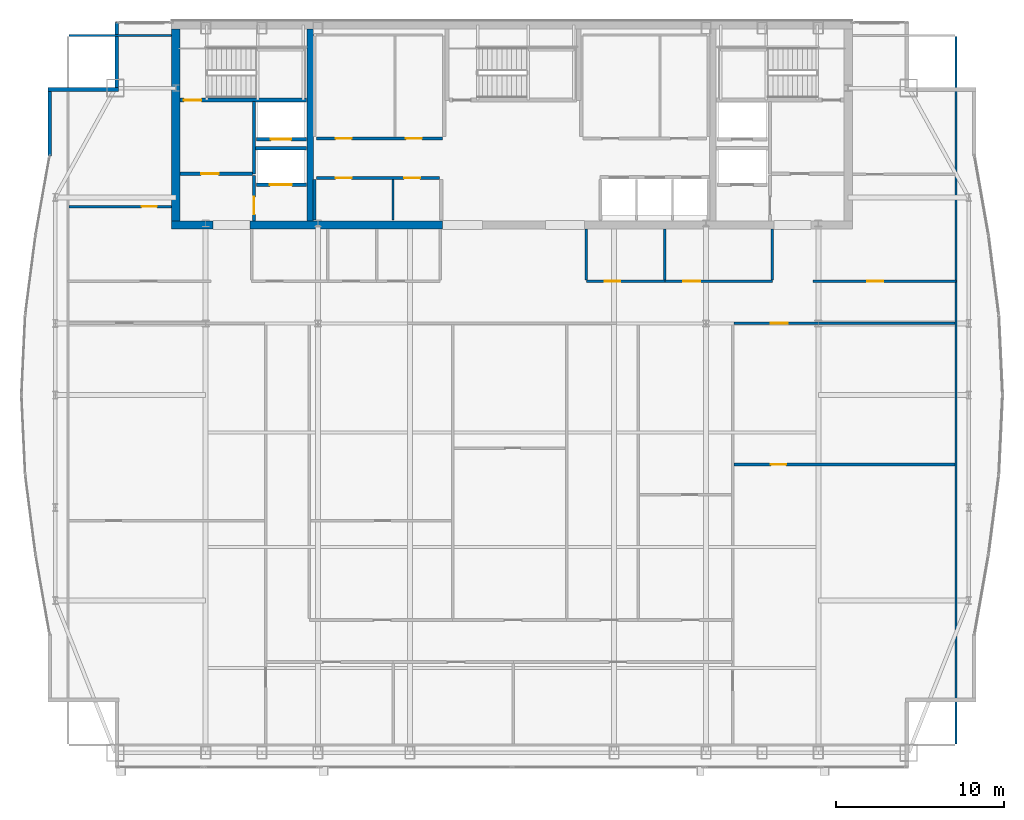
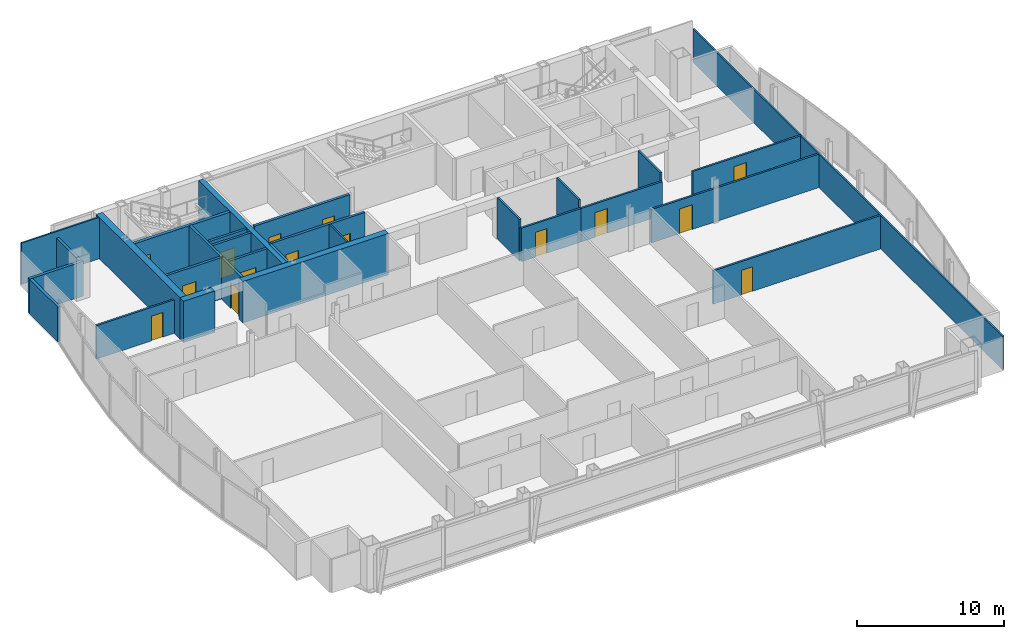
# One storey, part 26 of 30: 29 walls, 15 doors, 15 openings.
"""IFC4 building model written with IfcOpenShell, lengths in metres."""

from ifc_helpers import new_model, si_unit, direction, frame, frame_2d, origin, place, context, subcontext, project, spatial, rectangle, extrude, material, layer, layer_set, type_object, element, fill, save


model = new_model("IFC4")

# Units and contexts
model_context = context("Model", 3, precision=1e-05, world=origin(), true_north=direction((0.0, 1.0)))
body_context = subcontext(model_context, "Body", "Model", "MODEL_VIEW")
ifc_project = project(units=[si_unit("LENGTHUNIT", "METRE"), si_unit("AREAUNIT", "SQUARE_METRE"), si_unit("VOLUMEUNIT", "CUBIC_METRE"), si_unit("PLANEANGLEUNIT", "RADIAN"), si_unit("MASSUNIT", "GRAM", prefix="KILO")], contexts=[model_context])

# Site, building, storey
site_placement = place(None, origin())
site = spatial("IfcSite", under=ifc_project, at=site_placement, CompositionType="ELEMENT")
building_placement = place(site_placement, origin())
building = spatial("IfcBuilding", under=site, at=building_placement, Name="Khoronbel Lancet Exchange", CompositionType="ELEMENT")
storey_placement = place(building_placement, frame((0.0, 0.0, 277.0)))
storey = spatial("IfcBuildingStorey", under=building, at=storey_placement, Name="L71", CompositionType="ELEMENT", Elevation=277.0)

# Walls
ifc_material_1 = material(Name="Concrete C60/75", Category="concrete")
ifc_layer_1 = layer(ifc_material_1, 0.5, Name="Concrete C60/75")
ifc_layer_set_1 = layer_set([ifc_layer_1], Name="Concrete C60/75")
wall_type_1 = type_object("IfcWallType", Name="WL-CW4", PredefinedType="SHEAR", material=ifc_layer_set_1)
wall_1_placement = place(storey_placement, frame((16.449951171875, 41.800048828125, 0.0), z_axis=(0.0, 0.0, 1.0), x_axis=(0.0, 1.0, 0.0)))
element("IfcWall", 1, at=wall_1_placement, inside=storey, type_object=wall_type_1, Name="Level L71 rear core west shear wall", PredefinedType="SHEAR", context=body_context, shape_type="SweptSolid", body=[
    extrude(rectangle(XDim=11.39990234375, YDim=0.5, at=frame_2d((5.699951171875, 0.0))), origin(), (0.0, 0.0, 1.0), 3.43994140625),
])
wall_2_placement = place(storey_placement, frame((18.64990234375, 41.550048828125, 0.0), z_axis=(0.0, 0.0, 1.0), x_axis=(-1.0, 0.0, 0.0)))
element("IfcWall", 2, at=wall_2_placement, inside=storey, type_object=wall_type_1, Name="Level L71 rear core south shear wall pier P1", PredefinedType="SHEAR", context=body_context, shape_type="SweptSolid", body=[
    extrude(rectangle(XDim=2.449951171875, YDim=0.5, at=frame_2d((1.22509765625, 0.0))), origin(), (0.0, 0.0, 1.0), 3.43994140625),
])
wall_3_placement = place(storey_placement, frame((32.300048828125, 41.550048828125, 0.0), z_axis=(0.0, 0.0, 1.0), x_axis=(-1.0, 0.0, 0.0)))
element("IfcWall", 3, at=wall_3_placement, inside=storey, type_object=wall_type_1, Name="Level L71 rear core south shear wall pier P2", PredefinedType="SHEAR", context=body_context, shape_type="SweptSolid", body=[
    extrude(rectangle(XDim=11.449951171875, YDim=0.5, at=frame_2d((5.72509765625, 0.0))), origin(), (0.0, 0.0, 1.0), 3.43994140625),
])
ifc_material_2 = material(Name="Precast concrete C40/50", Category="concrete")
ifc_layer_2 = layer(ifc_material_2, 0.25, Name="Precast concrete C40/50")
ifc_layer_set_2 = layer_set([ifc_layer_2], Name="Precast concrete C40/50")
wall_type_2 = type_object("IfcWallType", Name="WL-EXT250", PredefinedType="SOLIDWALL", material=ifc_layer_set_2)
wall_4_placement = place(storey_placement, frame((8.93994140625, 45.672119140625, 0.0), z_axis=(0.0, 0.0, 1.0), x_axis=(0.0, 1.0, 0.0)))
element("IfcWall", 4, at=wall_4_placement, inside=storey, type_object=wall_type_2, Name="Level L71 notched-corner limestone pier 10", PredefinedType="SOLIDWALL", context=body_context, shape_type="SweptSolid", body=[
    extrude(rectangle(XDim=3.827880859375, YDim=0.219970703125, at=frame_2d((1.9140625, 0.0))), origin(), (0.0, 0.0, 1.0), 2.8798828125),
])
wall_5_placement = place(storey_placement, frame((8.830078125, 49.610107421875, 0.0), z_axis=(0.0, 0.0, 1.0), x_axis=(1.0, 0.0, 0.0)))
element("IfcWall", 5, at=wall_5_placement, inside=storey, type_object=wall_type_2, Name="Level L71 notched-corner limestone pier 11", PredefinedType="SOLIDWALL", context=body_context, shape_type="SweptSolid", body=[
    extrude(rectangle(XDim=4.219970703125, YDim=0.219970703125, at=frame_2d((2.10986328125, 0.0))), origin(), (0.0, 0.0, 1.0), 2.8798828125),
])
wall_6_placement = place(storey_placement, frame((12.93994140625, 49.719970703125, 0.0), z_axis=(0.0, 0.0, 1.0), x_axis=(0.0, 1.0, 0.0)))
element("IfcWall", 6, at=wall_6_placement, inside=storey, type_object=wall_type_2, Name="Level L71 notched-corner limestone pier 12", PredefinedType="SOLIDWALL", context=body_context, shape_type="SweptSolid", body=[
    extrude(rectangle(XDim=3.909912109375, YDim=0.219970703125, at=frame_2d((1.955078125, 0.0))), origin(), (0.0, 0.0, 1.0), 2.8798828125),
])
ifc_material_3 = material(Name="Acoustic Metal-Stud & Mineral-Wool Gypsum Partition 120 mm", Category="gypsum")
ifc_layer_3 = layer(ifc_material_3, 0.1201171875, Name="Acoustic Metal-Stud & Mineral-Wool Gypsum Partition 120 mm")
ifc_layer_set_3 = layer_set([ifc_layer_3], Name="Acoustic Metal-Stud & Mineral-Wool Gypsum Partition 120 mm")
wall_type_3 = type_object("IfcWallType", Name="WL-PRT120", PredefinedType="PARTITIONING", material=ifc_layer_set_3)
for number, where, z_axis, x_axis, name in (
    (7, (40.8798828125, 38.280029296875, 0.0), (0.0, 0.0, 1.0), (0.0, 1.0, 0.0), "Level L71 interior partition PW-NP-0"),
    (8, (45.550048828125, 38.280029296875, 0.0), (0.0, 0.0, 1.0), (0.0, 1.0, 0.0), "Level L71 interior partition PW-NP-M"),
    (9, (51.949951171875, 38.280029296875, 0.0), (0.0, 0.0, 1.0), (0.0, 1.0, 0.0), "Level L71 interior partition PW-NP-1"),
):
    element("IfcWall", number, at=place(storey_placement, frame(where, z_axis=z_axis, x_axis=x_axis)), inside=storey, type_object=wall_type_3, Name=name, PredefinedType="PARTITIONING", context=body_context, shape_type="SweptSolid", body=[
        extrude(rectangle(XDim=3.02001953125, YDim=0.14990234375, at=frame_2d((1.510009765625, 0.0))), origin(), (0.0, 0.0, 1.0), 3.43994140625),
    ])

# Wall, opening, door
wall_7_placement = place(storey_placement, frame((10.094970703125, 42.64990234375, 0.0), z_axis=(0.0, 0.0, 1.0), x_axis=(1.0, 0.0, 0.0)))
wall_7 = element("IfcWall", 10, at=wall_7_placement, inside=storey, type_object=wall_type_3, Name="Level L71 interior partition PW-NW-H", PredefinedType="PARTITIONING", context=body_context, shape_type="SweptSolid", body=[
    extrude(rectangle(XDim=6.10498046875, YDim=0.14990234375, at=frame_2d((3.052490234375, 0.0))), origin(), (0.0, 0.0, 1.0), 2.780029296875),
])
opening_1_placement = place(wall_7_placement, frame((4.320068359375, 0.0, 0.0)))
opening_1 = element("IfcOpeningElement", 11, at=opening_1_placement, cuts=wall_7, Name="Opening D5", PredefinedType="OPENING", context=body_context, shape_type="SweptSolid", body=[
    extrude(rectangle(XDim=0.89990234375, YDim=2.050048828125, at=frame_2d((0.449951171875, 1.02490234375))), frame((0.0, 0.0849609375, 0.0), z_axis=(0.0, -1.0, 0.0), x_axis=(1.0, 0.0, 0.0)), (0.0, 0.0, 1.0), 0.169921875),
])
ifc_material_4 = material(Name="Acoustic Timber Pantry & Support Door", Category="wood")
door_type_1 = type_object("IfcDoorType", Name="DR-D5", OperationType="NOTDEFINED", PredefinedType="DOOR", material=ifc_material_4)
door_1_placement = place(opening_1_placement, origin())
door_1 = element("IfcDoor", 12, at=door_1_placement, inside=storey, type_object=door_type_1, Name="NW north room door L71-1", OperationType="SINGLE_SWING_LEFT", OverallHeight=2.050048828125, OverallWidth=0.89990234375, PredefinedType="DOOR", context=body_context, shape_type="SweptSolid", body=[
    extrude(rectangle(XDim=0.89990234375, YDim=2.050048828125, at=frame_2d((0.449951171875, 1.02490234375))), frame((0.0, 0.02490234375, 0.0), z_axis=(0.0, -1.0, 0.0), x_axis=(1.0, 0.0, 0.0)), (0.0, 0.0, 1.0), 0.050048828125),
])
fill(opening_1, door_1)

wall_8_placement = place(storey_placement, frame((49.659912109375, 27.300048828125, 0.0), z_axis=(0.0, 0.0, 1.0), x_axis=(1.0, 0.0, 0.0)))
wall_8 = element("IfcWall", 13, at=wall_8_placement, inside=storey, type_object=wall_type_3, Name="Level L71 interior partition PW-Z4-EH", PredefinedType="PARTITIONING", context=body_context, shape_type="SweptSolid", body=[
    extrude(rectangle(XDim=13.14501953125, YDim=0.14990234375, at=frame_2d((6.572509765625, 0.0))), origin(), (0.0, 0.0, 1.0), 2.780029296875),
])
opening_2_placement = place(wall_8_placement, frame((2.199951171875, 0.0, 0.0)))
opening_2 = element("IfcOpeningElement", 14, at=opening_2_placement, cuts=wall_8, Name="Opening D5", PredefinedType="OPENING", context=body_context, shape_type="SweptSolid", body=[
    extrude(rectangle(XDim=0.89990234375, YDim=2.050048828125, at=frame_2d((0.449951171875, 1.02490234375))), frame((0.0, 0.0849609375, 0.0), z_axis=(0.0, -1.0, 0.0), x_axis=(1.0, 0.0, 0.0)), (0.0, 0.0, 1.0), 0.169921875),
])
door_2_placement = place(opening_2_placement, origin())
door_2 = element("IfcDoor", 15, at=door_2_placement, inside=storey, type_object=door_type_1, Name="East lens inner door L71-1", OperationType="SINGLE_SWING_RIGHT", OverallHeight=2.050048828125, OverallWidth=0.89990234375, PredefinedType="DOOR", context=body_context, shape_type="SweptSolid", body=[
    extrude(rectangle(XDim=0.89990234375, YDim=2.050048828125, at=frame_2d((0.449951171875, 1.02490234375))), frame((0.0, 0.02490234375, 0.0), z_axis=(0.0, -1.0, 0.0), x_axis=(1.0, 0.0, 0.0)), (0.0, 0.0, 1.0), 0.050048828125),
])
fill(opening_2, door_2)

# Walls
wall_9_placement = place(storey_placement, frame((62.8701171875, 10.6650390625, 0.0), z_axis=(0.0, 0.0, 1.0), x_axis=(0.0, 1.0, 0.0)))
element("IfcWall", 16, at=wall_9_placement, inside=storey, type_object=wall_type_3, Name="Level L71 interior partition PW-LIN-E", PredefinedType="PARTITIONING", context=body_context, shape_type="SweptSolid", body=[
    extrude(rectangle(XDim=42.10986328125, YDim=0.1201171875, at=frame_2d((21.054931640625, 0.0))), origin(), (0.0, 0.0, 1.0), 2.780029296875),
])
wall_10_placement = place(storey_placement, frame((10.094970703125, 52.840087890625, 0.0), z_axis=(0.0, 0.0, 1.0), x_axis=(1.0, 0.0, 0.0)))
element("IfcWall", 17, at=wall_10_placement, inside=storey, type_object=wall_type_3, Name="Level L71 interior partition PW-LIN-NW", PredefinedType="PARTITIONING", context=body_context, shape_type="SweptSolid", body=[
    extrude(rectangle(XDim=6.10498046875, YDim=0.1201171875, at=frame_2d((3.052490234375, 0.0))), origin(), (0.0, 0.0, 1.0), 3.43994140625),
])
ifc_material_5 = material(Name="Fire-Rated Metal-Stud & Mineral-Wool Gypsum Partition 120 mm", Category="gypsum")
ifc_layer_4 = layer(ifc_material_5, 0.1201171875, Name="Fire-Rated Metal-Stud & Mineral-Wool Gypsum Partition 120 mm")
ifc_layer_set_4 = layer_set([ifc_layer_4], Name="Fire-Rated Metal-Stud & Mineral-Wool Gypsum Partition 120 mm")
wall_type_4 = type_object("IfcWallType", Name="WL-PRT120F", PredefinedType="PARTITIONING", material=ifc_layer_set_4)
wall_11_placement = place(storey_placement, frame((29.381103515625, 41.85009765625, 0.0), z_axis=(0.0, 0.0, 1.0), x_axis=(0.0, 1.0, 0.0)))
element("IfcWall", 18, at=wall_11_placement, inside=storey, type_object=wall_type_4, Name="Level L71 interior partition CW-PM-RS2", PredefinedType="PARTITIONING", context=body_context, shape_type="SweptSolid", body=[
    extrude(rectangle(XDim=2.39501953125, YDim=0.1201171875, at=frame_2d((1.197509765625, 0.0))), origin(), (0.0, 0.0, 1.0), 3.43994140625),
])

# Wall, opening, door
ifc_material_6 = material(Name="Fire-Rated Twin-Stud Acoustic Gypsum Partition 150 mm", Category="gypsum")
ifc_layer_5 = layer(ifc_material_6, 0.14990234375, Name="Fire-Rated Twin-Stud Acoustic Gypsum Partition 150 mm")
ifc_layer_set_5 = layer_set([ifc_layer_5], Name="Fire-Rated Twin-Stud Acoustic Gypsum Partition 150 mm")
wall_type_5 = type_object("IfcWallType", Name="WL-PRT150C", PredefinedType="PARTITIONING", material=ifc_layer_set_5)
wall_12_placement = place(storey_placement, frame((40.8798828125, 38.199951171875, 0.0), z_axis=(0.0, 0.0, 1.0), x_axis=(1.0, 0.0, 0.0)))
wall_12 = element("IfcWall", 19, at=wall_12_placement, inside=storey, type_object=wall_type_5, Name="Level L71 interior partition PW-NP-S1", PredefinedType="PARTITIONING", context=body_context, shape_type="SweptSolid", body=[
    extrude(rectangle(XDim=4.670166015625, YDim=0.14990234375, at=frame_2d((2.3349609375, 0.0))), origin(), (0.0, 0.0, 1.0), 2.780029296875),
])
opening_3_placement = place(wall_12_placement, frame((1.10009765625, 0.0, 0.0)))
opening_3 = element("IfcOpeningElement", 20, at=opening_3_placement, cuts=wall_12, Name="Opening D5", PredefinedType="OPENING", context=body_context, shape_type="SweptSolid", body=[
    extrude(rectangle(XDim=0.89990234375, YDim=2.050048828125, at=frame_2d((0.449951171875, 1.02490234375))), frame((0.0, 0.0849609375, 0.0), z_axis=(0.0, -1.0, 0.0), x_axis=(1.0, 0.0, 0.0)), (0.0, 0.0, 1.0), 0.169921875),
])
door_3_placement = place(opening_3_placement, origin())
door_3 = element("IfcDoor", 21, at=door_3_placement, inside=storey, type_object=door_type_1, Name="Floor refreshment pantry door L71-1", OperationType="SINGLE_SWING_LEFT", OverallHeight=2.050048828125, OverallWidth=0.89990234375, PredefinedType="DOOR", context=body_context, shape_type="SweptSolid", body=[
    extrude(rectangle(XDim=0.89990234375, YDim=2.050048828125, at=frame_2d((0.449951171875, 1.02490234375))), frame((0.0, 0.02490234375, 0.0), z_axis=(0.0, -1.0, 0.0), x_axis=(1.0, 0.0, 0.0)), (0.0, 0.0, 1.0), 0.050048828125),
])
fill(opening_3, door_3)

wall_13_placement = place(storey_placement, frame((45.550048828125, 38.199951171875, 0.0), z_axis=(0.0, 0.0, 1.0), x_axis=(1.0, 0.0, 0.0)))
wall_13 = element("IfcWall", 22, at=wall_13_placement, inside=storey, type_object=wall_type_5, Name="Level L71 interior partition PW-NP-S2", PredefinedType="PARTITIONING", context=body_context, shape_type="SweptSolid", body=[
    extrude(rectangle(XDim=6.39990234375, YDim=0.14990234375, at=frame_2d((3.199951171875, 0.0))), origin(), (0.0, 0.0, 1.0), 2.780029296875),
])
opening_4_placement = place(wall_13_placement, frame((1.10009765625, 0.0, 0.0)))
opening_4 = element("IfcOpeningElement", 23, at=opening_4_placement, cuts=wall_13, Name="Opening D2", PredefinedType="OPENING", context=body_context, shape_type="SweptSolid", body=[
    extrude(rectangle(XDim=1.0, YDim=2.050048828125, at=frame_2d((0.5, 1.02490234375))), frame((0.0, 0.0849609375, 0.0), z_axis=(0.0, -1.0, 0.0), x_axis=(1.0, 0.0, 0.0)), (0.0, 0.0, 1.0), 0.169921875),
])
ifc_material_7 = material(Name="Acoustic Veneered Timber & Bronze Frame Door", Category="wood")
door_type_2 = type_object("IfcDoorType", Name="DR-D2", OperationType="NOTDEFINED", PredefinedType="DOOR", material=ifc_material_7)
door_4_placement = place(opening_4_placement, origin())
door_4 = element("IfcDoor", 24, at=door_4_placement, inside=storey, type_object=door_type_2, Name="Floor store door L71-1", OperationType="SINGLE_SWING_RIGHT", OverallHeight=2.050048828125, OverallWidth=1.0, PredefinedType="DOOR", context=body_context, shape_type="SweptSolid", body=[
    extrude(rectangle(XDim=1.0, YDim=2.050048828125, at=frame_2d((0.5, 1.02490234375))), frame((0.0, 0.02490234375, 0.0), z_axis=(0.0, -1.0, 0.0), x_axis=(1.0, 0.0, 0.0)), (0.0, 0.0, 1.0), 0.050048828125),
])
fill(opening_4, door_4)

wall_14_placement = place(storey_placement, frame((54.35009765625, 38.199951171875, 0.0), z_axis=(0.0, 0.0, 1.0), x_axis=(1.0, 0.0, 0.0)))
wall_14 = element("IfcWall", 25, at=wall_14_placement, inside=storey, type_object=wall_type_5, Name="Level L71 interior partition PW-NE-S", PredefinedType="PARTITIONING", context=body_context, shape_type="SweptSolid", body=[
    extrude(rectangle(XDim=8.52001953125, YDim=0.14990234375, at=frame_2d((4.260009765625, 0.0))), origin(), (0.0, 0.0, 1.0), 2.780029296875),
])
opening_5_placement = place(wall_14_placement, frame((3.25, 0.0, 0.0)))
opening_5 = element("IfcOpeningElement", 26, at=opening_5_placement, cuts=wall_14, Name="Opening D1", PredefinedType="OPENING", context=body_context, shape_type="SweptSolid", body=[
    extrude(rectangle(XDim=0.949951171875, YDim=2.050048828125, at=frame_2d((0.47509765625, 1.02490234375))), frame((0.0, 0.0849609375, 0.0), z_axis=(0.0, -1.0, 0.0), x_axis=(1.0, 0.0, 0.0)), (0.0, 0.0, 1.0), 0.169921875),
])
door_type_3 = type_object("IfcDoorType", Name="DR-D1", OperationType="NOTDEFINED", PredefinedType="DOOR", material=ifc_material_7)
door_5_placement = place(opening_5_placement, origin())
door_5 = element("IfcDoor", 27, at=door_5_placement, inside=storey, type_object=door_type_3, Name="NE corner room door L71-1", OperationType="SINGLE_SWING_RIGHT", OverallHeight=2.050048828125, OverallWidth=0.949951171875, PredefinedType="DOOR", context=body_context, shape_type="SweptSolid", body=[
    extrude(rectangle(XDim=0.949951171875, YDim=2.050048828125, at=frame_2d((0.47509765625, 1.02490234375))), frame((0.0, 0.02490234375, 0.0), z_axis=(0.0, -1.0, 0.0), x_axis=(1.0, 0.0, 0.0)), (0.0, 0.0, 1.0), 0.050048828125),
])
fill(opening_5, door_5)

wall_15_placement = place(storey_placement, frame((49.659912109375, 35.699951171875, 0.0), z_axis=(0.0, 0.0, 1.0), x_axis=(1.0, 0.0, 0.0)))
wall_15 = element("IfcWall", 28, at=wall_15_placement, inside=storey, type_object=wall_type_5, Name="Level L71 interior partition PW-Z4-EN2", PredefinedType="PARTITIONING", context=body_context, shape_type="SweptSolid", body=[
    extrude(rectangle(XDim=13.14501953125, YDim=0.14990234375, at=frame_2d((6.572509765625, 0.0))), origin(), (0.0, 0.0, 1.0), 2.780029296875),
])
opening_6_placement = place(wall_15_placement, frame((2.199951171875, 0.0, 0.0)))
opening_6 = element("IfcOpeningElement", 29, at=opening_6_placement, cuts=wall_15, Name="Opening D2", PredefinedType="OPENING", context=body_context, shape_type="SweptSolid", body=[
    extrude(rectangle(XDim=1.0, YDim=2.050048828125, at=frame_2d((0.5, 1.02490234375))), frame((0.0, 0.0849609375, 0.0), z_axis=(0.0, -1.0, 0.0), x_axis=(1.0, 0.0, 0.0)), (0.0, 0.0, 1.0), 0.169921875),
])
door_6_placement = place(opening_6_placement, origin())
door_6 = element("IfcDoor", 30, at=door_6_placement, inside=storey, type_object=door_type_2, Name="East lens north door L71-1", OperationType="SINGLE_SWING_LEFT", OverallHeight=2.050048828125, OverallWidth=1.0, PredefinedType="DOOR", context=body_context, shape_type="SweptSolid", body=[
    extrude(rectangle(XDim=1.0, YDim=2.050048828125, at=frame_2d((0.5, 1.02490234375))), frame((0.0, 0.02490234375, 0.0), z_axis=(0.0, -1.0, 0.0), x_axis=(1.0, 0.0, 0.0)), (0.0, 0.0, 1.0), 0.050048828125),
])
fill(opening_6, door_6)

ifc_material_8 = material(Name="Autoclaved Aerated Concrete Blockwork 200 mm", Category="masonry")
ifc_layer_6 = layer(ifc_material_8, 0.199951171875, Name="Autoclaved Aerated Concrete Blockwork 200 mm")
ifc_layer_set_6 = layer_set([ifc_layer_6], Name="Autoclaved Aerated Concrete Blockwork 200 mm")
wall_type_6 = type_object("IfcWallType", Name="WL-PRT200", PredefinedType="PARTITIONING", material=ifc_layer_set_6)
wall_16_placement = place(storey_placement, frame((24.2099609375, 43.949951171875, 0.0), z_axis=(0.0, 0.0, 1.0), x_axis=(-1.0, 0.0, 0.0)))
wall_16 = element("IfcWall", 31, at=wall_16_placement, inside=storey, type_object=wall_type_6, Name="Level L71 elevator hoistway landing front wall SVLW", PredefinedType="PARTITIONING", context=body_context, shape_type="SweptSolid", body=[
    extrude(rectangle(XDim=2.969970703125, YDim=0.199951171875, at=frame_2d((1.48486328125, 0.0))), origin(), (0.0, 0.0, 1.0), 3.43994140625),
])
opening_7_placement = place(wall_16_placement, frame((0.860107421875, 0.0, 0.0)))
opening_7 = element("IfcOpeningElement", 32, at=opening_7_placement, cuts=wall_16, Name="Opening LD-SVL1", PredefinedType="OPENING", context=body_context, shape_type="SweptSolid", body=[
    extrude(rectangle(XDim=1.300048828125, YDim=2.179931640625, at=frame_2d((0.64990234375, 1.08984375))), frame((0.0, 0.10986328125, 0.0), z_axis=(0.0, -1.0, 0.0), x_axis=(1.0, 0.0, 0.0)), (0.0, 0.0, 1.0), 0.219970703125),
])
ifc_material_9 = material(Name="Heavy-Duty Bi-Parting Goods Lift Landing Door", Category="steel")
door_type_4 = type_object("IfcDoorType", Name="DR-LD-SVL", OperationType="NOTDEFINED", PredefinedType="DOOR", material=ifc_material_9)
door_7_placement = place(opening_7_placement, origin())
door_7 = element("IfcDoor", 33, at=door_7_placement, inside=storey, type_object=door_type_4, Name="Elevator landing sliding door LD-SVL1 L71", OperationType="SLIDING_TO_LEFT", OverallHeight=2.179931640625, OverallWidth=1.300048828125, PredefinedType="DOOR", context=body_context, shape_type="SweptSolid", body=[
    extrude(rectangle(XDim=1.300048828125, YDim=2.179931640625, at=frame_2d((0.64990234375, 1.08984375))), frame((0.0, 0.02490234375, 0.0), z_axis=(0.0, -1.0, 0.0), x_axis=(1.0, 0.0, 0.0)), (0.0, 0.0, 1.0), 0.050048828125),
])
fill(opening_7, door_7)

wall_17_placement = place(storey_placement, frame((24.2099609375, 46.64990234375, 0.0), z_axis=(0.0, 0.0, 1.0), x_axis=(-1.0, 0.0, 0.0)))
wall_17 = element("IfcWall", 34, at=wall_17_placement, inside=storey, type_object=wall_type_6, Name="Level L71 elevator hoistway landing front wall FFLW", PredefinedType="PARTITIONING", context=body_context, shape_type="SweptSolid", body=[
    extrude(rectangle(XDim=2.969970703125, YDim=0.199951171875, at=frame_2d((1.48486328125, 0.0))), origin(), (0.0, 0.0, 1.0), 3.43994140625),
])
opening_8_placement = place(wall_17_placement, frame((0.909912109375, 0.0, 0.0)))
opening_8 = element("IfcOpeningElement", 35, at=opening_8_placement, cuts=wall_17, Name="Opening LD-FFL1", PredefinedType="OPENING", context=body_context, shape_type="SweptSolid", body=[
    extrude(rectangle(XDim=1.199951171875, YDim=2.179931640625, at=frame_2d((0.60009765625, 1.08984375))), frame((0.0, 0.10986328125, 0.0), z_axis=(0.0, -1.0, 0.0), x_axis=(1.0, 0.0, 0.0)), (0.0, 0.0, 1.0), 0.219970703125),
])
ifc_material_10 = material(Name="Fire-Rated Stainless Bi-Parting Firefighting Lift Door", Category="steel")
door_type_5 = type_object("IfcDoorType", Name="DR-LD-FFL", OperationType="NOTDEFINED", PredefinedType="DOOR", material=ifc_material_10)
door_8_placement = place(opening_8_placement, origin())
door_8 = element("IfcDoor", 36, at=door_8_placement, inside=storey, type_object=door_type_5, Name="Elevator landing sliding door LD-FFL1 L71", OperationType="SLIDING_TO_LEFT", OverallHeight=2.179931640625, OverallWidth=1.199951171875, PredefinedType="DOOR", context=body_context, shape_type="SweptSolid", body=[
    extrude(rectangle(XDim=1.199951171875, YDim=2.179931640625, at=frame_2d((0.60009765625, 1.08984375))), frame((0.0, 0.02490234375, 0.0), z_axis=(0.0, -1.0, 0.0), x_axis=(1.0, 0.0, 0.0)), (0.0, 0.0, 1.0), 0.050048828125),
])
fill(opening_8, door_8)

# Wall
wall_18_placement = place(storey_placement, frame((21.10009765625, 44.60009765625, 0.0), z_axis=(0.0, 0.0, 1.0), x_axis=(0.0, 1.0, 0.0)))
element("IfcWall", 37, at=wall_18_placement, inside=storey, type_object=wall_type_6, Name="Level L71 interior partition CW-FFLW-E", PredefinedType="PARTITIONING", context=body_context, shape_type="SweptSolid", body=[
    extrude(rectangle(XDim=4.2998046875, YDim=0.199951171875, at=frame_2d((2.14990234375, 0.0))), origin(), (0.0, 0.0, 1.0), 3.43994140625),
])

# Wall, opening, door
wall_19_placement = place(storey_placement, frame((16.699951171875, 44.60009765625, 0.0), z_axis=(0.0, 0.0, 1.0), x_axis=(1.0, 0.0, 0.0)))
wall_19 = element("IfcWall", 38, at=wall_19_placement, inside=storey, type_object=wall_type_6, Name="Level L71 interior partition CW-FFLW-S", PredefinedType="PARTITIONING", context=body_context, shape_type="SweptSolid", body=[
    extrude(rectangle(XDim=4.300048828125, YDim=0.199951171875, at=frame_2d((2.14990234375, 0.0))), origin(), (0.0, 0.0, 1.0), 3.43994140625),
])
opening_9_placement = place(wall_19_placement, frame((1.25, 0.0, 0.0)))
opening_9 = element("IfcOpeningElement", 39, at=opening_9_placement, cuts=wall_19, Name="Opening FD1", PredefinedType="OPENING", context=body_context, shape_type="SweptSolid", body=[
    extrude(rectangle(XDim=1.050048828125, YDim=2.14990234375, at=frame_2d((0.52490234375, 1.074951171875))), frame((0.0, 0.10986328125, 0.0), z_axis=(0.0, -1.0, 0.0), x_axis=(1.0, 0.0, 0.0)), (0.0, 0.0, 1.0), 0.219970703125),
])
ifc_material_11 = material(Name="Fire-Rated Painted Steel Door Assembly", Category="steel")
door_type_6 = type_object("IfcDoorType", Name="DR-FD1", OperationType="NOTDEFINED", PredefinedType="DOOR", material=ifc_material_11)
door_9_placement = place(opening_9_placement, origin())
door_9 = element("IfcDoor", 40, at=door_9_placement, inside=storey, type_object=door_type_6, Name="West firefighting lobby FD90S door L71-1", OperationType="SINGLE_SWING_RIGHT", OverallHeight=2.14990234375, OverallWidth=1.050048828125, PredefinedType="DOOR", context=body_context, shape_type="SweptSolid", body=[
    extrude(rectangle(XDim=1.050048828125, YDim=2.14990234375, at=frame_2d((0.52490234375, 1.074951171875))), frame((0.0, 0.02490234375, 0.0), z_axis=(0.0, -1.0, 0.0), x_axis=(1.0, 0.0, 0.0)), (0.0, 0.0, 1.0), 0.050048828125),
])
fill(opening_9, door_9)

# Wall
wall_20_placement = place(storey_placement, frame((21.199951171875, 46.1201171875, 0.0), z_axis=(0.0, 0.0, 1.0), x_axis=(1.0, 0.0, 0.0)))
element("IfcWall", 41, at=wall_20_placement, inside=storey, type_object=wall_type_6, Name="Level L71 interior partition CW-FFL1-S", PredefinedType="PARTITIONING", context=body_context, shape_type="SweptSolid", body=[
    extrude(rectangle(XDim=3.02001953125, YDim=0.199951171875, at=frame_2d((1.510009765625, 0.0))), origin(), (0.0, 0.0, 1.0), 3.43994140625),
])

# Wall, opening, door
wall_21_placement = place(storey_placement, frame((21.10009765625, 41.800048828125, 0.0), z_axis=(0.0, 0.0, 1.0), x_axis=(0.0, 1.0, 0.0)))
wall_21 = element("IfcWall", 42, at=wall_21_placement, inside=storey, type_object=wall_type_6, Name="Level L71 interior partition CW-SVLW-W", PredefinedType="PARTITIONING", context=body_context, shape_type="SweptSolid", body=[
    extrude(rectangle(XDim=2.695068359375, YDim=0.199951171875, at=frame_2d((1.34765625, 0.0))), origin(), (0.0, 0.0, 1.0), 3.43994140625),
])
opening_10_placement = place(wall_21_placement, frame((0.3798828125, 0.0, 0.0)))
opening_10 = element("IfcOpeningElement", 43, at=opening_10_placement, cuts=wall_21, Name="Opening FD1", PredefinedType="OPENING", context=body_context, shape_type="SweptSolid", body=[
    extrude(rectangle(XDim=1.050048828125, YDim=2.14990234375, at=frame_2d((0.52490234375, 1.074951171875))), frame((0.0, 0.10986328125, 0.0), z_axis=(0.0, -1.0, 0.0), x_axis=(1.0, 0.0, 0.0)), (0.0, 0.0, 1.0), 0.219970703125),
])
door_10_placement = place(opening_10_placement, origin())
door_10 = element("IfcDoor", 44, at=door_10_placement, inside=storey, type_object=door_type_6, Name="West service lift lobby door L71-1", OperationType="SINGLE_SWING_LEFT", OverallHeight=2.14990234375, OverallWidth=1.050048828125, PredefinedType="DOOR", context=body_context, shape_type="SweptSolid", body=[
    extrude(rectangle(XDim=1.050048828125, YDim=2.14990234375, at=frame_2d((0.52490234375, 1.074951171875))), frame((0.0, 0.02490234375, 0.0), z_axis=(0.0, -1.0, 0.0), x_axis=(1.0, 0.0, 0.0)), (0.0, 0.0, 1.0), 0.050048828125),
])
fill(opening_10, door_10)

# Wall, openings, doors
wall_22_placement = place(storey_placement, frame((24.804931640625, 46.699951171875, 0.0), z_axis=(0.0, 0.0, 1.0), x_axis=(1.0, 0.0, 0.0)))
wall_22 = element("IfcWall", 45, at=wall_22_placement, inside=storey, type_object=wall_type_6, Name="Level L71 interior partition CW-PL-RF", PredefinedType="PARTITIONING", context=body_context, shape_type="SweptSolid", body=[
    extrude(rectangle(XDim=7.510009765625, YDim=0.199951171875, at=frame_2d((3.7548828125, 0.0))), origin(), (0.0, 0.0, 1.0), 3.43994140625),
])
opening_11_placement = place(wall_22_placement, frame((1.14990234375, 0.0, 0.0)))
opening_11 = element("IfcOpeningElement", 46, at=opening_11_placement, cuts=wall_22, Name="Opening FD3", PredefinedType="OPENING", context=body_context, shape_type="SweptSolid", body=[
    extrude(rectangle(XDim=0.949951171875, YDim=2.10009765625, at=frame_2d((0.47509765625, 1.050048828125))), frame((0.0, 0.10986328125, 0.0), z_axis=(0.0, -1.0, 0.0), x_axis=(1.0, 0.0, 0.0)), (0.0, 0.0, 1.0), 0.219970703125),
])
opening_12_placement = place(wall_22_placement, frame((5.33642578125, 0.0, 0.0)))
opening_12 = element("IfcOpeningElement", 47, at=opening_12_placement, cuts=wall_22, Name="Opening FD3", PredefinedType="OPENING", context=body_context, shape_type="SweptSolid", body=[
    extrude(rectangle(XDim=0.949951171875, YDim=2.10009765625, at=frame_2d((0.47509765625, 1.050048828125))), frame((0.0, 0.10986328125, 0.0), z_axis=(0.0, -1.0, 0.0), x_axis=(1.0, 0.0, 0.0)), (0.0, 0.0, 1.0), 0.219970703125),
])
ifc_material_12 = material(Name="Fire-Rated Steel Plant & Riser Door Assembly", Category="steel")
door_type_7 = type_object("IfcDoorType", Name="DR-FD3", OperationType="NOTDEFINED", PredefinedType="DOOR", material=ifc_material_12)
door_11_placement = place(opening_11_placement, origin())
door_11 = element("IfcDoor", 48, at=door_11_placement, inside=storey, type_object=door_type_7, Name="Reclaimed PL C door L71-1", OperationType="SINGLE_SWING_RIGHT", OverallHeight=2.10009765625, OverallWidth=0.949951171875, PredefinedType="DOOR", context=body_context, shape_type="SweptSolid", body=[
    extrude(rectangle(XDim=0.949951171875, YDim=2.10009765625, at=frame_2d((0.47509765625, 1.050048828125))), frame((0.0, 0.02490234375, 0.0), z_axis=(0.0, -1.0, 0.0), x_axis=(1.0, 0.0, 0.0)), (0.0, 0.0, 1.0), 0.050048828125),
])
fill(opening_11, door_11)
door_12_placement = place(opening_12_placement, origin())
door_12 = element("IfcDoor", 49, at=door_12_placement, inside=storey, type_object=door_type_7, Name="Reclaimed PL D door L71-2", OperationType="SINGLE_SWING_LEFT", OverallHeight=2.10009765625, OverallWidth=0.949951171875, PredefinedType="DOOR", context=body_context, shape_type="SweptSolid", body=[
    extrude(rectangle(XDim=0.949951171875, YDim=2.10009765625, at=frame_2d((0.47509765625, 1.050048828125))), frame((0.0, 0.02490234375, 0.0), z_axis=(0.0, -1.0, 0.0), x_axis=(1.0, 0.0, 0.0)), (0.0, 0.0, 1.0), 0.050048828125),
])
fill(opening_12, door_12)

# Wall
wall_23_placement = place(storey_placement, frame((24.699951171875, 41.85009765625, 0.0), z_axis=(0.0, 0.0, 1.0), x_axis=(0.0, 1.0, 0.0)))
element("IfcWall", 50, at=wall_23_placement, inside=storey, type_object=wall_type_6, Name="Level L71 interior partition CW-PM-RW", PredefinedType="PARTITIONING", context=body_context, shape_type="SweptSolid", body=[
    extrude(rectangle(XDim=2.39501953125, YDim=0.199951171875, at=frame_2d((1.197509765625, 0.0))), origin(), (0.0, 0.0, 1.0), 3.43994140625),
])

# Wall, openings, doors
wall_24_placement = place(storey_placement, frame((24.804931640625, 44.35009765625, 0.0), z_axis=(0.0, 0.0, 1.0), x_axis=(1.0, 0.0, 0.0)))
wall_24 = element("IfcWall", 51, at=wall_24_placement, inside=storey, type_object=wall_type_6, Name="Level L71 interior partition CW-PM-RF", PredefinedType="PARTITIONING", context=body_context, shape_type="SweptSolid", body=[
    extrude(rectangle(XDim=7.340087890625, YDim=0.199951171875, at=frame_2d((3.669921875, 0.0))), origin(), (0.0, 0.0, 1.0), 3.43994140625),
])
opening_13_placement = place(wall_24_placement, frame((1.14990234375, 0.0, 0.0)))
opening_13 = element("IfcOpeningElement", 52, at=opening_13_placement, cuts=wall_24, Name="Opening FD3", PredefinedType="OPENING", context=body_context, shape_type="SweptSolid", body=[
    extrude(rectangle(XDim=0.949951171875, YDim=2.10009765625, at=frame_2d((0.47509765625, 1.050048828125))), frame((0.0, 0.10986328125, 0.0), z_axis=(0.0, -1.0, 0.0), x_axis=(1.0, 0.0, 0.0)), (0.0, 0.0, 1.0), 0.219970703125),
])
opening_14_placement = place(wall_24_placement, frame((5.23095703125, 0.0, 0.0)))
opening_14 = element("IfcOpeningElement", 53, at=opening_14_placement, cuts=wall_24, Name="Opening FD3", PredefinedType="OPENING", context=body_context, shape_type="SweptSolid", body=[
    extrude(rectangle(XDim=0.949951171875, YDim=2.10009765625, at=frame_2d((0.47509765625, 1.050048828125))), frame((0.0, 0.10986328125, 0.0), z_axis=(0.0, -1.0, 0.0), x_axis=(1.0, 0.0, 0.0)), (0.0, 0.0, 1.0), 0.219970703125),
])
door_13_placement = place(opening_13_placement, origin())
door_13 = element("IfcDoor", 54, at=door_13_placement, inside=storey, type_object=door_type_7, Name="Reclaimed PM C door L71-1", OperationType="SINGLE_SWING_RIGHT", OverallHeight=2.10009765625, OverallWidth=0.949951171875, PredefinedType="DOOR", context=body_context, shape_type="SweptSolid", body=[
    extrude(rectangle(XDim=0.949951171875, YDim=2.10009765625, at=frame_2d((0.47509765625, 1.050048828125))), frame((0.0, 0.02490234375, 0.0), z_axis=(0.0, -1.0, 0.0), x_axis=(1.0, 0.0, 0.0)), (0.0, 0.0, 1.0), 0.050048828125),
])
fill(opening_13, door_13)
door_14_placement = place(opening_14_placement, origin())
door_14 = element("IfcDoor", 55, at=door_14_placement, inside=storey, type_object=door_type_7, Name="Reclaimed PM D door L71-2", OperationType="SINGLE_SWING_LEFT", OverallHeight=2.10009765625, OverallWidth=0.949951171875, PredefinedType="DOOR", context=body_context, shape_type="SweptSolid", body=[
    extrude(rectangle(XDim=0.949951171875, YDim=2.10009765625, at=frame_2d((0.47509765625, 1.050048828125))), frame((0.0, 0.02490234375, 0.0), z_axis=(0.0, -1.0, 0.0), x_axis=(1.0, 0.0, 0.0)), (0.0, 0.0, 1.0), 0.050048828125),
])
fill(opening_14, door_14)

# Wall
ifc_layer_7 = layer(ifc_material_1, 0.39990234375, Name="Concrete C60/75")
ifc_layer_set_7 = layer_set([ifc_layer_7], Name="Concrete C60/75")
wall_type_7 = type_object("IfcWallType", Name="WL-SW2", PredefinedType="SHEAR", material=ifc_layer_set_7)
wall_25_placement = place(storey_placement, frame((24.449951171875, 41.800048828125, 0.0), z_axis=(0.0, 0.0, 1.0), x_axis=(0.0, 1.0, 0.0)))
element("IfcWall", 56, at=wall_25_placement, inside=storey, type_object=wall_type_7, Name="Level L71 rear core internal spine shear wall IW", PredefinedType="SHEAR", context=body_context, shape_type="SweptSolid", body=[
    extrude(rectangle(XDim=11.39990234375, YDim=0.39990234375, at=frame_2d((5.699951171875, 0.0))), origin(), (0.0, 0.0, 1.0), 3.43994140625),
])

# Wall, opening, door
ifc_layer_8 = layer(ifc_material_1, 0.260009765625, Name="Concrete C60/75")
ifc_layer_set_8 = layer_set([ifc_layer_8], Name="Concrete C60/75")
wall_type_8 = type_object("IfcWallType", Name="WL-SW3", PredefinedType="SHEAR", material=ifc_layer_set_8)
wall_26_placement = place(storey_placement, frame((16.699951171875, 48.97998046875, 0.0), z_axis=(0.0, 0.0, 1.0), x_axis=(1.0, 0.0, 0.0)))
wall_26 = element("IfcWall", 57, at=wall_26_placement, inside=storey, type_object=wall_type_8, Name="Level L71 west stairwell structural south wall", PredefinedType="SHEAR", context=body_context, shape_type="SweptSolid", body=[
    extrude(rectangle(XDim=7.52001953125, YDim=0.239990234375, at=frame_2d((3.760009765625, 0.0))), origin(), (0.0, 0.0, 1.0), 3.43994140625),
])
opening_15_placement = place(wall_26_placement, frame((0.219970703125, 0.0, 0.0)))
opening_15 = element("IfcOpeningElement", 58, at=opening_15_placement, cuts=wall_26, Name="Opening SD1", PredefinedType="OPENING", context=body_context, shape_type="SweptSolid", body=[
    extrude(rectangle(XDim=1.050048828125, YDim=2.14990234375, at=frame_2d((0.52490234375, 1.074951171875))), frame((0.0, 0.1298828125, 0.0), z_axis=(0.0, -1.0, 0.0), x_axis=(1.0, 0.0, 0.0)), (0.0, 0.0, 1.0), 0.260009765625),
])
ifc_material_13 = material(Name="Fire-Rated Steel Stairwell Door Assembly", Category="steel")
door_type_8 = type_object("IfcDoorType", Name="DR-SD1", OperationType="NOTDEFINED", PredefinedType="DOOR", material=ifc_material_13)
door_15_placement = place(opening_15_placement, origin())
door_15 = element("IfcDoor", 59, at=door_15_placement, inside=storey, type_object=door_type_8, Name="Protected exit stair ST1 door L71", OperationType="SINGLE_SWING_LEFT", OverallHeight=2.14990234375, OverallWidth=1.050048828125, PredefinedType="DOOR", context=body_context, shape_type="SweptSolid", body=[
    extrude(rectangle(XDim=1.050048828125, YDim=2.14990234375, at=frame_2d((0.52490234375, 1.074951171875))), frame((0.0, 0.02490234375, 0.0), z_axis=(0.0, -1.0, 0.0), x_axis=(1.0, 0.0, 0.0)), (0.0, 0.0, 1.0), 0.050048828125),
])
fill(opening_15, door_15)

save(model, "model.ifc")
